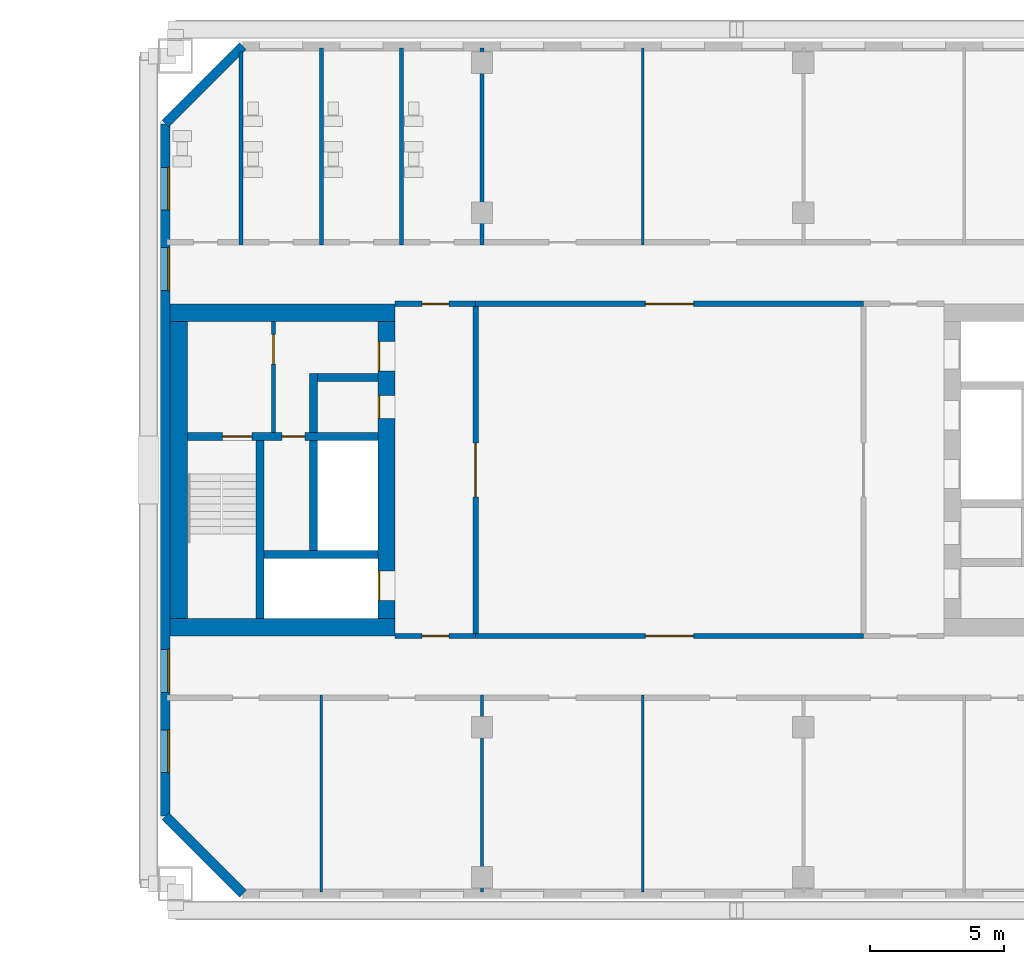
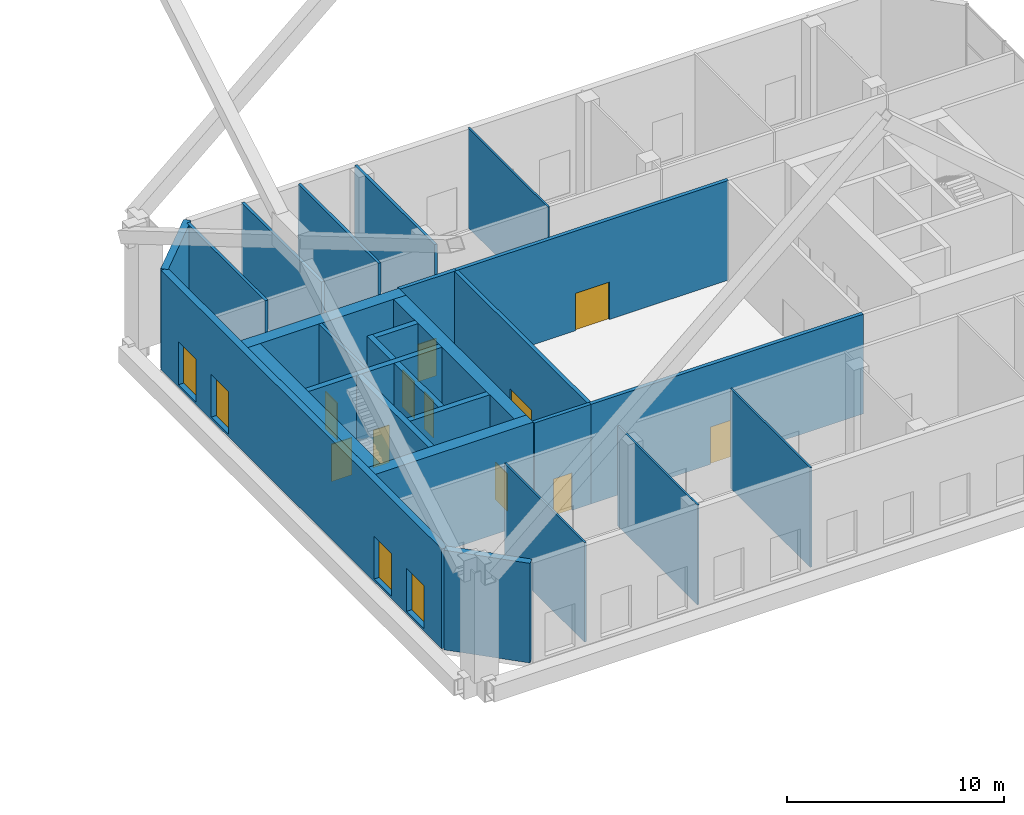
# One storey, part 13 of 20: 27 walls, 11 doors, 4 windows, 15 openings.
"""IFC4 building model written with IfcOpenShell, lengths in metres."""

import ifcopenshell
import ifcopenshell.guid

model = None  # the IFC model being written
_history = None  # IfcOwnerHistory: only IFC2X3 demands one
_inside = {}  # id of a spatial element -> (the spatial element, [elements in it])
_under = {}  # id of a project, library or spatial element -> (it, [spatial elements below it])
_declared = {}  # id of a project -> (the project, [libraries it declares])
_typed = {}  # id of a type object -> (the type object, [elements of that type])
_made_of = {}  # id of a material, layer set ... -> (it, [elements and type objects made of it])


def new_model(schema):
    """Start an empty IFC model of exactly this schema.

    Asked for "IFC4X3", IfcOpenShell would pick the latest addendum, in which some entities
    have other attributes; the version numbers below select the first issue.
    IFC2X3 requires an IfcOwnerHistory on every rooted entity: one is made here for all.
    """
    global model, _history
    if schema == "IFC4X3":
        model = ifcopenshell.file(schema_version=(4, 3, 0, 0))
    else:
        model = ifcopenshell.file(schema=schema)
    _inside.clear()
    _under.clear()
    _declared.clear()
    _typed.clear()
    _made_of.clear()
    _history = None
    if model.schema == "IFC2X3":
        org = make("IfcOrganization", Name="unknown")
        user = make(
            "IfcPersonAndOrganization",
            ThePerson=make("IfcPerson", FamilyName="unknown"),
            TheOrganization=org,
        )
        app = make(
            "IfcApplication",
            ApplicationDeveloper=org,
            Version="unknown",
            ApplicationFullName="unknown",
            ApplicationIdentifier="unknown",
        )
        _history = make(
            "IfcOwnerHistory",
            OwningUser=user,
            OwningApplication=app,
            ChangeAction="ADDED",
            CreationDate=0,
        )
    return model


def make(cls, **values):
    """One entity of the class cls with the attributes given. An attribute that is None is left unset."""
    return model.create_entity(
        cls, **{name: value for name, value in values.items() if value is not None}
    )


def rooted(cls, **values):
    """An entity with a GlobalId (a new one), such as an element, a storey or a relation."""
    return make(cls, GlobalId=ifcopenshell.guid.new(), OwnerHistory=_history, **values)


def si_unit(unit_type, name, prefix=None):
    """IfcSIUnit, for example si_unit("LENGTHUNIT", "METRE", prefix="MILLI")."""
    return make("IfcSIUnit", UnitType=unit_type, Prefix=prefix, Name=name)


def assignment(units):
    """IfcUnitAssignment: the units of a project."""
    return None if units is None else make("IfcUnitAssignment", Units=units)


def point(xyz):
    """IfcCartesianPoint."""
    return None if xyz is None else make("IfcCartesianPoint", Coordinates=xyz)


def direction(xyz):
    """IfcDirection."""
    return None if xyz is None else make("IfcDirection", DirectionRatios=xyz)


def frame(location, z_axis=None, x_axis=None):
    """IfcAxis2Placement3D, a coordinate frame: its origin and axes. An axis left out is left unset."""
    return make(
        "IfcAxis2Placement3D",
        Location=point(location),
        Axis=direction(z_axis),
        RefDirection=direction(x_axis),
    )


def frame_2d(location, x_axis=None):
    """IfcAxis2Placement2D, a coordinate frame in the plane: its origin and x axis."""
    return make(
        "IfcAxis2Placement2D", Location=point(location), RefDirection=direction(x_axis)
    )


def origin():
    """The frame at (0, 0, 0) with its axes left unset."""
    return frame((0.0, 0.0, 0.0))


def place(relative_to, where):
    """IfcLocalPlacement: puts the frame where relative to a parent placement (None: the world)."""
    return make(
        "IfcLocalPlacement", PlacementRelTo=relative_to, RelativePlacement=where
    )


def context(
    kind, dimensions, precision=None, world=None, true_north=None, identifier=None
):
    """IfcGeometricRepresentationContext, for example the 3D "Model" context."""
    return make(
        "IfcGeometricRepresentationContext",
        ContextIdentifier=identifier,
        ContextType=kind,
        CoordinateSpaceDimension=dimensions,
        Precision=precision,
        WorldCoordinateSystem=world,
        TrueNorth=true_north,
    )


def subcontext(parent, identifier, kind, view, scale=None):
    """IfcGeometricRepresentationSubContext, for example "Body" below "Model"."""
    return make(
        "IfcGeometricRepresentationSubContext",
        ContextIdentifier=identifier,
        ContextType=kind,
        ParentContext=parent,
        TargetScale=scale,
        TargetView=view,
    )


def project(units=None, contexts=None):
    """IfcProject with its units and contexts."""
    return rooted(
        "IfcProject",
        Name="project",
        RepresentationContexts=contexts,
        UnitsInContext=assignment(units),
    )


def spatial(cls, under=None, at=None, **own):
    """A site, building, storey or space (cls), placed at a placement, below another one or the project."""
    s = rooted(cls, ObjectPlacement=at, **own)
    if under is not None:
        _under.setdefault(under.id(), (under, []))[1].append(s)
    return s


def profile(cls, at=None, kind="AREA", **sizes):
    """A parametric profile (cls). Its sizes go by their IFC names, for example OverallWidth=200.0."""
    return make(cls, ProfileType=kind, Position=at, **sizes)


def rectangle(**sizes):
    """IfcRectangleProfileDef."""
    return profile("IfcRectangleProfileDef", **sizes)


def extrude(swept, where, along, depth):
    """IfcExtrudedAreaSolid: the profile swept, set in the frame where, extruded along a direction by depth."""
    return make(
        "IfcExtrudedAreaSolid",
        SweptArea=swept,
        Position=where,
        ExtrudedDirection=direction(along),
        Depth=depth,
    )


def shape(context_of_items, identifier, shape_type, items):
    """IfcShapeRepresentation: the items that make up one representation, for example the "Body"."""
    return make(
        "IfcShapeRepresentation",
        ContextOfItems=context_of_items,
        RepresentationIdentifier=identifier,
        RepresentationType=shape_type,
        Items=items,
    )


def material(Name=None, Category=None):
    """IfcMaterial."""
    return make("IfcMaterial", Name=Name, Category=Category)


def layer(
    of_material, thickness, ventilated=None, Name=None, Category=None, Priority=None
):
    """IfcMaterialLayer: one layer of a wall or slab, of a material (None: an air gap)."""
    return make(
        "IfcMaterialLayer",
        Material=of_material,
        LayerThickness=thickness,
        IsVentilated=ventilated,
        Name=Name,
        Category=Category,
        Priority=Priority,
    )


def layer_set(layers, Name=None):
    """IfcMaterialLayerSet."""
    return make("IfcMaterialLayerSet", MaterialLayers=layers, LayerSetName=Name)


def made_of(thing, what):
    """Note that an element or type object is made of a material, layer set ...; save() writes the relation."""
    if what is not None:
        _made_of.setdefault(what.id(), (what, []))[1].append(thing)
    return thing


def type_object(cls, material=None, **own):
    """A type object (cls), such as IfcWallType, which elements share."""
    return made_of(rooted(cls, **own), material)


def element(
    cls,
    number,
    at=None,
    inside=None,
    cuts=None,
    type_object=None,
    material=None,
    context=None,
    identifier="Body",
    shape_type=None,
    held_by="IfcProductDefinitionShape",
    body=None,
    shapes=None,
    **own,
):
    """One element of the class cls, such as IfcWall. Its Tag is "e" and its number.

    at: its placement. inside: the storey or other place that contains it. cuts: it is an
    opening in that element (IfcRelVoidsElement). A single representation is given by context,
    identifier, shape_type and body (its items); several are given by shapes. held_by: the class
    of the entity that holds the representations. save() writes the other relations.
    """
    e = rooted(cls, Tag="e%d" % number, ObjectPlacement=at, **own)
    if body is not None:
        shapes = [shape(context, identifier, shape_type, body)]
    if shapes is not None:
        e.Representation = make(held_by, Representations=shapes)
    if inside is not None:
        _inside.setdefault(inside.id(), (inside, []))[1].append(e)
    if cuts is not None:
        rooted(
            "IfcRelVoidsElement", RelatingBuildingElement=cuts, RelatedOpeningElement=e
        )
    if type_object is not None:
        _typed.setdefault(type_object.id(), (type_object, []))[1].append(e)
    return made_of(e, material)


def fill(opening, filler):
    """IfcRelFillsElement: the door or window that sits in an opening."""
    return rooted(
        "IfcRelFillsElement",
        RelatingOpeningElement=opening,
        RelatedBuildingElement=filler,
    )


def aggregate(whole, parts):
    """IfcRelAggregates: a whole, such as a stair, and the parts it consists of."""
    return rooted("IfcRelAggregates", RelatingObject=whole, RelatedObjects=parts)


def save(model, path):
    """Write the relations noted so far, then the file.

    IfcRelAggregates (storeys below a building ...), IfcRelContainedInSpatialStructure (elements
    in a storey), IfcRelDefinesByType, IfcRelAssociatesMaterial and IfcRelDeclares: one each for
    every whole, place, type object, material and project.
    """
    for whole, parts in _under.values():
        aggregate(whole, parts)
    for where, things in _inside.values():
        rooted(
            "IfcRelContainedInSpatialStructure",
            RelatedElements=things,
            RelatingStructure=where,
        )
    for kind, things in _typed.values():
        rooted("IfcRelDefinesByType", RelatedObjects=things, RelatingType=kind)
    for what, things in _made_of.values():
        rooted("IfcRelAssociatesMaterial", RelatedObjects=things, RelatingMaterial=what)
    for by, libraries in _declared.values():
        rooted("IfcRelDeclares", RelatingContext=by, RelatedDefinitions=libraries)
    model.write(path)


model = new_model("IFC4")

# Units and contexts
model_context = context("Model", 3, precision=1e-05, world=origin(), true_north=direction((0.0, 1.0)))
body_context = subcontext(model_context, "Body", "Model", "MODEL_VIEW")
ifc_project = project(units=[si_unit("LENGTHUNIT", "METRE"), si_unit("AREAUNIT", "SQUARE_METRE"), si_unit("VOLUMEUNIT", "CUBIC_METRE"), si_unit("PLANEANGLEUNIT", "RADIAN"), si_unit("MASSUNIT", "GRAM", prefix="KILO")], contexts=[model_context])

# Site, building, storey
site_placement = place(None, origin())
site = spatial("IfcSite", under=ifc_project, at=site_placement, CompositionType="ELEMENT")
building_placement = place(site_placement, origin())
building = spatial("IfcBuilding", under=site, at=building_placement, Name="Tuart Gate Housing", CompositionType="ELEMENT")
storey_placement = place(building_placement, frame((0.0, 0.0, 90.199951171875)))
storey = spatial("IfcBuildingStorey", under=building, at=storey_placement, Name="L25", CompositionType="ELEMENT", Elevation=90.199951171875)

# Walls
ifc_material_1 = material(Name="Gypsum board on steel studs", Category="steel")
ifc_layer_1 = layer(ifc_material_1, 0.14990234375)
ifc_layer_set_1 = layer_set([ifc_layer_1], Name="Bathroom wall 150")
wall_type_1 = type_object("IfcWallType", Name="Bathroom wall 150", PredefinedType="PLUMBINGWALL", material=ifc_layer_set_1)
wall_1_placement = place(storey_placement, frame((134.0, 78.39990234375, 0.0), z_axis=(0.0, 0.0, 1.0), x_axis=(0.0, 1.0, 0.0)))
element("IfcWall", 1, at=wall_1_placement, inside=storey, type_object=wall_type_1, Name="Bathroom wall 150", PredefinedType="PLUMBINGWALL", context=body_context, shape_type="SweptSolid", body=[
    extrude(rectangle(XDim=7.211181640625, YDim=0.14990234375, at=frame_2d((3.60546875, 0.0))), origin(), (0.0, 0.0, 1.0), 5.60009765625),
])
for number, where, z_axis, x_axis, name in (
    (2, (137.0, 78.39990234375, 0.0), (0.0, 0.0, 1.0), (0.0, 1.0, 0.0), "Bathroom wall 150"),
    (3, (140.0, 78.39990234375, 0.0), (0.0, 0.0, 1.0), (0.0, 1.0, 0.0), "Bathroom wall 150"),
    (4, (143.0, 78.39990234375, 0.0), (0.0, 0.0, 1.0), (0.0, 1.0, 0.0), "Bathroom wall 150"),
):
    element("IfcWall", number, at=place(storey_placement, frame(where, z_axis=z_axis, x_axis=x_axis)), inside=storey, type_object=wall_type_1, Name=name, PredefinedType="PLUMBINGWALL", context=body_context, shape_type="SweptSolid", body=[
        extrude(rectangle(XDim=7.360107421875, YDim=0.14990234375, at=frame_2d((3.68017578125, 0.0))), origin(), (0.0, 0.0, 1.0), 5.60009765625),
    ])
ifc_material_2 = material(Name="Brick", Category="masonry")
ifc_layer_2 = layer(ifc_material_2, 0.360107421875)
ifc_layer_set_2 = layer_set([ifc_layer_2], Name="Brick pier and spandrel wall 360")
wall_type_2 = type_object("IfcWallType", Name="Brick pier and spandrel wall 360", PredefinedType="STANDARD", material=ifc_layer_set_2)
for number, where, z_axis, x_axis, name in (
    (5, (131.179931640625, 57.07470703125, 0.0), (0.0, 0.0, 1.0), (0.707106781187, -0.707106781187, 0.0), "External wall B-SW L25"),
    (6, (134.07470703125, 85.820068359375, 0.0), (0.0, 0.0, 1.0), (-0.707106781187, -0.707106781187, 0.0), "External wall B-NW L25"),
):
    element("IfcWall", number, at=place(storey_placement, frame(where, z_axis=z_axis, x_axis=x_axis)), inside=storey, type_object=wall_type_2, Name=name, PredefinedType="STANDARD", context=body_context, shape_type="SweptSolid", body=[
        extrude(rectangle(XDim=4.09375, YDim=0.360107421875, at=frame_2d((2.046875, 0.0))), origin(), (0.0, 0.0, 1.0), 5.60009765625),
    ])

# Wall, openings, windows
wall_2_placement = place(storey_placement, frame((131.179931640625, 82.92529296875, 0.0), z_axis=(0.0, 0.0, 1.0), x_axis=(0.0, -1.0, 0.0)))
wall_2 = element("IfcWall", 7, at=wall_2_placement, inside=storey, type_object=wall_type_2, Name="External wall B-W L25", PredefinedType="STANDARD", context=body_context, shape_type="SweptSolid", body=[
    extrude(rectangle(XDim=25.850830078125, YDim=0.360107421875, at=frame_2d((12.92529296875, 0.0))), origin(), (0.0, 0.0, 1.0), 5.60009765625),
])
opening_1_placement = place(wall_2_placement, frame((1.62548828125, 0.0, 0.14990234375)))
opening_1 = element("IfcOpeningElement", 8, at=opening_1_placement, cuts=wall_2, Name="Opening W2", PredefinedType="OPENING", context=body_context, shape_type="SweptSolid", body=[
    extrude(rectangle(XDim=1.60009765625, YDim=2.39990234375, at=frame_2d((0.800048828125, 1.199951171875))), frame((0.0, 0.18994140625, 0.0), z_axis=(0.0, -1.0, 0.0), x_axis=(1.0, 0.0, 0.0)), (0.0, 0.0, 1.0), 0.380126953125),
])
opening_2_placement = place(wall_2_placement, frame((4.62548828125, 0.0, 0.14990234375)))
opening_2 = element("IfcOpeningElement", 9, at=opening_2_placement, cuts=wall_2, Name="Opening W2", PredefinedType="OPENING", context=body_context, shape_type="SweptSolid", body=[
    extrude(rectangle(XDim=1.60009765625, YDim=2.39990234375, at=frame_2d((0.800048828125, 1.199951171875))), frame((0.0, 0.18994140625, 0.0), z_axis=(0.0, -1.0, 0.0), x_axis=(1.0, 0.0, 0.0)), (0.0, 0.0, 1.0), 0.380126953125),
])
opening_3_placement = place(wall_2_placement, frame((19.62548828125, 0.0, 0.14990234375)))
opening_3 = element("IfcOpeningElement", 10, at=opening_3_placement, cuts=wall_2, Name="Opening W2", PredefinedType="OPENING", context=body_context, shape_type="SweptSolid", body=[
    extrude(rectangle(XDim=1.60009765625, YDim=2.39990234375, at=frame_2d((0.800048828125, 1.199951171875))), frame((0.0, 0.18994140625, 0.0), z_axis=(0.0, -1.0, 0.0), x_axis=(1.0, 0.0, 0.0)), (0.0, 0.0, 1.0), 0.380126953125),
])
opening_4_placement = place(wall_2_placement, frame((22.62548828125, 0.0, 0.14990234375)))
opening_4 = element("IfcOpeningElement", 11, at=opening_4_placement, cuts=wall_2, Name="Opening W2", PredefinedType="OPENING", context=body_context, shape_type="SweptSolid", body=[
    extrude(rectangle(XDim=1.60009765625, YDim=2.39990234375, at=frame_2d((0.800048828125, 1.199951171875))), frame((0.0, 0.18994140625, 0.0), z_axis=(0.0, -1.0, 0.0), x_axis=(1.0, 0.0, 0.0)), (0.0, 0.0, 1.0), 0.380126953125),
])
ifc_material_3 = material(Name="Aluminium frame with clear glass", Category="aluminium")
window_type = type_object("IfcWindowType", Name="Garden lounge window 1600 x 2400", PartitioningType="SINGLE_PANEL", PredefinedType="WINDOW", material=ifc_material_3)
window_1_placement = place(opening_1_placement, origin())
window_1 = element("IfcWindow", 12, at=window_1_placement, inside=storey, type_object=window_type, Name="Window W2", OverallHeight=2.39990234375, OverallWidth=1.60009765625, PartitioningType="SINGLE_PANEL", PredefinedType="WINDOW", context=body_context, shape_type="SweptSolid", body=[
    extrude(rectangle(XDim=1.60009765625, YDim=2.39990234375, at=frame_2d((0.800048828125, 1.199951171875))), frame((0.0, 0.150146484375, 0.0), z_axis=(0.0, -1.0, 0.0), x_axis=(1.0, 0.0, 0.0)), (0.0, 0.0, 1.0), 0.06005859375),
])
fill(opening_1, window_1)
window_2_placement = place(opening_2_placement, origin())
window_2 = element("IfcWindow", 13, at=window_2_placement, inside=storey, type_object=window_type, Name="Window W2", OverallHeight=2.39990234375, OverallWidth=1.60009765625, PartitioningType="SINGLE_PANEL", PredefinedType="WINDOW", context=body_context, shape_type="SweptSolid", body=[
    extrude(rectangle(XDim=1.60009765625, YDim=2.39990234375, at=frame_2d((0.800048828125, 1.199951171875))), frame((0.0, 0.150146484375, 0.0), z_axis=(0.0, -1.0, 0.0), x_axis=(1.0, 0.0, 0.0)), (0.0, 0.0, 1.0), 0.06005859375),
])
fill(opening_2, window_2)
window_3_placement = place(opening_3_placement, origin())
window_3 = element("IfcWindow", 14, at=window_3_placement, inside=storey, type_object=window_type, Name="Window W2", OverallHeight=2.39990234375, OverallWidth=1.60009765625, PartitioningType="SINGLE_PANEL", PredefinedType="WINDOW", context=body_context, shape_type="SweptSolid", body=[
    extrude(rectangle(XDim=1.60009765625, YDim=2.39990234375, at=frame_2d((0.800048828125, 1.199951171875))), frame((0.0, 0.150146484375, 0.0), z_axis=(0.0, -1.0, 0.0), x_axis=(1.0, 0.0, 0.0)), (0.0, 0.0, 1.0), 0.06005859375),
])
fill(opening_3, window_3)
window_4_placement = place(opening_4_placement, origin())
window_4 = element("IfcWindow", 15, at=window_4_placement, inside=storey, type_object=window_type, Name="Window W2", OverallHeight=2.39990234375, OverallWidth=1.60009765625, PartitioningType="SINGLE_PANEL", PredefinedType="WINDOW", context=body_context, shape_type="SweptSolid", body=[
    extrude(rectangle(XDim=1.60009765625, YDim=2.39990234375, at=frame_2d((0.800048828125, 1.199951171875))), frame((0.0, 0.150146484375, 0.0), z_axis=(0.0, -1.0, 0.0), x_axis=(1.0, 0.0, 0.0)), (0.0, 0.0, 1.0), 0.06005859375),
])
fill(opening_4, window_4)

# Wall, opening, door
ifc_material_4 = material(Name="Plasterboard partition")
ifc_layer_3 = layer(ifc_material_4, 0.14990234375)
ifc_layer_set_3 = layer_set([ifc_layer_3], Name="Core partition 150")
wall_type_3 = type_object("IfcWallType", Name="Core partition 150", PredefinedType="PARTITIONING", material=ifc_layer_set_3)
wall_3_placement = place(storey_placement, frame((135.2099609375, 71.39990234375, 0.0), z_axis=(0.0, 0.0, 1.0), x_axis=(0.0, 1.0, 0.0)))
wall_3 = element("IfcWall", 16, at=wall_3_placement, inside=storey, type_object=wall_type_3, Name="Core partition BG.6", PredefinedType="PARTITIONING", context=body_context, shape_type="SweptSolid", body=[
    extrude(rectangle(XDim=4.150146484375, YDim=0.14990234375, at=frame_2d((2.0751953125, 0.0))), origin(), (0.0, 0.0, 1.0), 5.60009765625),
])
opening_5_placement = place(wall_3_placement, frame((2.550048828125, 0.0, 0.0)))
opening_5 = element("IfcOpeningElement", 17, at=opening_5_placement, cuts=wall_3, Name="Opening D2905", PredefinedType="OPENING", context=body_context, shape_type="SweptSolid", body=[
    extrude(rectangle(XDim=1.10009765625, YDim=2.10009765625, at=frame_2d((0.550048828125, 1.050048828125))), frame((0.0, 0.0849609375, 0.0), z_axis=(0.0, -1.0, 0.0), x_axis=(1.0, 0.0, 0.0)), (0.0, 0.0, 1.0), 0.169921875),
])
ifc_material_5 = material(Name="Steel fire door", Category="steel")
door_type_1 = type_object("IfcDoorType", Name="Lobby door 1100 x 2100 RH", OperationType="SINGLE_SWING_RIGHT", PredefinedType="DOOR", material=ifc_material_5)
door_1_placement = place(opening_5_placement, origin())
door_1 = element("IfcDoor", 18, at=door_1_placement, inside=storey, type_object=door_type_1, Name="Smoke lobby door BG.KD", OperationType="SINGLE_SWING_RIGHT", OverallHeight=2.10009765625, OverallWidth=1.10009765625, PredefinedType="DOOR", context=body_context, shape_type="SweptSolid", body=[
    extrude(rectangle(XDim=1.10009765625, YDim=2.10009765625, at=frame_2d((0.550048828125, 1.050048828125))), frame((0.0, 0.02490234375, 0.0), z_axis=(0.0, -1.0, 0.0), x_axis=(1.0, 0.0, 0.0)), (0.0, 0.0, 1.0), 0.050048828125),
])
fill(opening_5, door_1)

# Wall
ifc_material_6 = material(Name="Concrete C50", Category="concrete")
ifc_layer_4 = layer(ifc_material_6, 0.300048828125)
ifc_layer_set_4 = layer_set([ifc_layer_4], Name="Core wall 300 C50")
wall_type_4 = type_object("IfcWallType", Name="Core wall 300 C50", PredefinedType="SHEAR", material=ifc_layer_set_4)
wall_4_placement = place(storey_placement, frame((139.110107421875, 66.85009765625, 0.0), z_axis=(0.0, 0.0, 1.0), x_axis=(-1.0, 0.0, 0.0)))
element("IfcWall", 19, at=wall_4_placement, inside=storey, type_object=wall_type_4, Name="Core wall BG.1", PredefinedType="SHEAR", context=body_context, shape_type="SweptSolid", body=[
    extrude(rectangle(XDim=4.25, YDim=0.300048828125, at=frame_2d((2.125, 0.0))), origin(), (0.0, 0.0, 1.0), 5.60009765625),
])

# Wall, openings, doors
wall_5_placement = place(storey_placement, frame((139.110107421875, 71.25, 0.0), z_axis=(0.0, 0.0, 1.0), x_axis=(-1.0, 0.0, 0.0)))
wall_5 = element("IfcWall", 20, at=wall_5_placement, inside=storey, type_object=wall_type_4, Name="Core wall BG.2", PredefinedType="SHEAR", context=body_context, shape_type="SweptSolid", body=[
    extrude(rectangle(XDim=7.10009765625, YDim=0.300048828125, at=frame_2d((3.550048828125, 0.0))), origin(), (0.0, 0.0, 1.0), 5.60009765625),
])
opening_6_placement = place(wall_5_placement, frame((4.699951171875, 0.0, 0.0)))
opening_6 = element("IfcOpeningElement", 21, at=opening_6_placement, cuts=wall_5, Name="Opening D2907", PredefinedType="OPENING", context=body_context, shape_type="SweptSolid", body=[
    extrude(rectangle(XDim=1.10009765625, YDim=2.10009765625, at=frame_2d((0.550048828125, 1.050048828125))), frame((0.0, 0.159912109375, 0.0), z_axis=(0.0, -1.0, 0.0), x_axis=(1.0, 0.0, 0.0)), (0.0, 0.0, 1.0), 0.320068359375),
])
opening_7_placement = place(wall_5_placement, frame((2.72509765625, 0.0, 0.0)))
opening_7 = element("IfcOpeningElement", 22, at=opening_7_placement, cuts=wall_5, Name="Opening D2906", PredefinedType="OPENING", context=body_context, shape_type="SweptSolid", body=[
    extrude(rectangle(XDim=0.85009765625, YDim=2.10009765625, at=frame_2d((0.425048828125, 1.050048828125))), frame((0.0, 0.159912109375, 0.0), z_axis=(0.0, -1.0, 0.0), x_axis=(1.0, 0.0, 0.0)), (0.0, 0.0, 1.0), 0.320068359375),
])
ifc_material_7 = material(Name="Steel fire door", Category="steel")
door_type_2 = type_object("IfcDoorType", Name="Riser door 850 x 2100", OperationType="SINGLE_SWING_LEFT", PredefinedType="DOOR", material=ifc_material_7)
door_2_placement = place(opening_7_placement, origin())
door_2 = element("IfcDoor", 23, at=door_2_placement, inside=storey, type_object=door_type_2, Name="Service room door BG.W1", OperationType="SINGLE_SWING_LEFT", OverallHeight=2.10009765625, OverallWidth=0.85009765625, PredefinedType="DOOR", context=body_context, shape_type="SweptSolid", body=[
    extrude(rectangle(XDim=0.85009765625, YDim=2.10009765625, at=frame_2d((0.425048828125, 1.050048828125))), frame((0.0, 0.02490234375, 0.0), z_axis=(0.0, -1.0, 0.0), x_axis=(1.0, 0.0, 0.0)), (0.0, 0.0, 1.0), 0.050048828125),
])
fill(opening_7, door_2)
ifc_material_8 = material(Name="Steel fire door", Category="steel")
door_type_3 = type_object("IfcDoorType", Name="Stair door 1100 x 2100", OperationType="SINGLE_SWING_LEFT", PredefinedType="DOOR", material=ifc_material_8)
door_3_placement = place(opening_6_placement, origin())
door_3 = element("IfcDoor", 24, at=door_3_placement, inside=storey, type_object=door_type_3, Name="Stair door BG.SD", OperationType="SINGLE_SWING_LEFT", OverallHeight=2.10009765625, OverallWidth=1.10009765625, PredefinedType="DOOR", context=body_context, shape_type="SweptSolid", body=[
    extrude(rectangle(XDim=1.10009765625, YDim=2.10009765625, at=frame_2d((0.550048828125, 1.050048828125))), frame((0.0, 0.02490234375, 0.0), z_axis=(0.0, -1.0, 0.0), x_axis=(1.0, 0.0, 0.0)), (0.0, 0.0, 1.0), 0.050048828125),
])
fill(opening_6, door_3)

# Walls
wall_6_placement = place(storey_placement, frame((139.110107421875, 73.449951171875, 0.0), z_axis=(0.0, 0.0, 1.0), x_axis=(-1.0, 0.0, 0.0)))
element("IfcWall", 25, at=wall_6_placement, inside=storey, type_object=wall_type_4, Name="Core wall BG.3", PredefinedType="SHEAR", context=body_context, shape_type="SweptSolid", body=[
    extrude(rectangle(XDim=2.25, YDim=0.300048828125, at=frame_2d((1.125, 0.0))), origin(), (0.0, 0.0, 1.0), 5.60009765625),
])
wall_7_placement = place(storey_placement, frame((136.7099609375, 67.0, 0.0), z_axis=(0.0, 0.0, 1.0), x_axis=(0.0, 1.0, 0.0)))
element("IfcWall", 26, at=wall_7_placement, inside=storey, type_object=wall_type_4, Name="Core wall BG.4", PredefinedType="SHEAR", context=body_context, shape_type="SweptSolid", body=[
    extrude(rectangle(XDim=4.10009765625, YDim=0.300048828125, at=frame_2d((2.050048828125, 0.0))), origin(), (0.0, 0.0, 1.0), 5.60009765625),
])
wall_8_placement = place(storey_placement, frame((136.7099609375, 71.39990234375, 0.0), z_axis=(0.0, 0.0, 1.0), x_axis=(0.0, 1.0, 0.0)))
element("IfcWall", 27, at=wall_8_placement, inside=storey, type_object=wall_type_4, Name="Core wall BG.5", PredefinedType="SHEAR", context=body_context, shape_type="SweptSolid", body=[
    extrude(rectangle(XDim=2.2001953125, YDim=0.300048828125, at=frame_2d((1.10009765625, 0.0))), origin(), (0.0, 0.0, 1.0), 5.60009765625),
])
wall_9_placement = place(storey_placement, frame((134.7099609375, 64.449951171875, 0.0), z_axis=(0.0, 0.0, 1.0), x_axis=(0.0, 1.0, 0.0)))
element("IfcWall", 28, at=wall_9_placement, inside=storey, type_object=wall_type_4, Name="Core wall BG.7", PredefinedType="SHEAR", context=body_context, shape_type="SweptSolid", body=[
    extrude(rectangle(XDim=6.650146484375, YDim=0.300048828125, at=frame_2d((3.3251953125, 0.0))), origin(), (0.0, 0.0, 1.0), 5.60009765625),
])

# Wall, openings, doors
ifc_material_9 = material(Name="Concrete C50", Category="concrete")
ifc_layer_5 = layer(ifc_material_9, 0.64990234375)
ifc_layer_set_5 = layer_set([ifc_layer_5], Name="Core wall 650 C50")
wall_type_5 = type_object("IfcWallType", Name="Core wall 650 C50", PredefinedType="SHEAR", material=ifc_layer_set_5)
wall_10_placement = place(storey_placement, frame((139.43505859375, 64.449951171875, 0.0), z_axis=(0.0, 0.0, 1.0), x_axis=(0.0, 1.0, 0.0)))
wall_10 = element("IfcWall", 29, at=wall_10_placement, inside=storey, type_object=wall_type_5, Name="Core wall BG front", PredefinedType="SHEAR", context=body_context, shape_type="SweptSolid", body=[
    extrude(rectangle(XDim=11.10009765625, YDim=0.64990234375, at=frame_2d((5.550048828125, 0.0))), origin(), (0.0, 0.0, 1.0), 5.60009765625),
])
opening_8_placement = place(wall_10_placement, frame((0.675048828125, 0.0, 0.0)))
opening_8 = element("IfcOpeningElement", 30, at=opening_8_placement, cuts=wall_10, Name="Opening LD-FB1", PredefinedType="OPENING", context=body_context, shape_type="SweptSolid", body=[
    extrude(rectangle(XDim=1.10009765625, YDim=2.10009765625, at=frame_2d((0.550048828125, 1.050048828125))), frame((0.0, 0.3349609375, 0.0), z_axis=(0.0, -1.0, 0.0), x_axis=(1.0, 0.0, 0.0)), (0.0, 0.0, 1.0), 0.669921875),
])
opening_9_placement = place(wall_10_placement, frame((9.25, 0.0, 0.0)))
opening_9 = element("IfcOpeningElement", 31, at=opening_9_placement, cuts=wall_10, Name="Opening D2909", PredefinedType="OPENING", context=body_context, shape_type="SweptSolid", body=[
    extrude(rectangle(XDim=1.10009765625, YDim=2.10009765625, at=frame_2d((0.550048828125, 1.050048828125))), frame((0.0, 0.3349609375, 0.0), z_axis=(0.0, -1.0, 0.0), x_axis=(1.0, 0.0, 0.0)), (0.0, 0.0, 1.0), 0.669921875),
])
opening_10_placement = place(wall_10_placement, frame((7.47509765625, 0.0, 0.0)))
opening_10 = element("IfcOpeningElement", 32, at=opening_10_placement, cuts=wall_10, Name="Opening D2910", PredefinedType="OPENING", context=body_context, shape_type="SweptSolid", body=[
    extrude(rectangle(XDim=0.85009765625, YDim=2.10009765625, at=frame_2d((0.425048828125, 1.050048828125))), frame((0.0, 0.3349609375, 0.0), z_axis=(0.0, -1.0, 0.0), x_axis=(1.0, 0.0, 0.0)), (0.0, 0.0, 1.0), 0.669921875),
])
ifc_material_10 = material(Name="Stainless steel", Category="steel")
door_type_4 = type_object("IfcDoorType", Name="Landing door 1100 x 2100", OperationType="DOUBLE_DOOR_SLIDING", PredefinedType="DOOR", material=ifc_material_10)
door_4_placement = place(opening_8_placement, origin())
door_4 = element("IfcDoor", 33, at=door_4_placement, inside=storey, type_object=door_type_4, Name="Lift landing door FB1", OperationType="DOUBLE_DOOR_SLIDING", OverallHeight=2.10009765625, OverallWidth=1.10009765625, PredefinedType="DOOR", context=body_context, shape_type="SweptSolid", body=[
    extrude(rectangle(XDim=1.10009765625, YDim=2.10009765625, at=frame_2d((0.550048828125, 1.050048828125))), frame((0.0, 0.31005859375, 0.0), z_axis=(0.0, -1.0, 0.0), x_axis=(1.0, 0.0, 0.0)), (0.0, 0.0, 1.0), 0.050048828125),
])
fill(opening_8, door_4)
ifc_material_11 = material(Name="Steel fire door", Category="steel")
door_type_5 = type_object("IfcDoorType", Name="Lobby door 1100 x 2100", OperationType="SINGLE_SWING_LEFT", PredefinedType="DOOR", material=ifc_material_11)
door_5_placement = place(opening_9_placement, origin())
door_5 = element("IfcDoor", 34, at=door_5_placement, inside=storey, type_object=door_type_5, Name="Lobby entry door BG.EN", OperationType="SINGLE_SWING_LEFT", OverallHeight=2.10009765625, OverallWidth=1.10009765625, PredefinedType="DOOR", context=body_context, shape_type="SweptSolid", body=[
    extrude(rectangle(XDim=1.10009765625, YDim=2.10009765625, at=frame_2d((0.550048828125, 1.050048828125))), frame((0.0, 0.31005859375, 0.0), z_axis=(0.0, -1.0, 0.0), x_axis=(1.0, 0.0, 0.0)), (0.0, 0.0, 1.0), 0.050048828125),
])
fill(opening_9, door_5)
ifc_material_12 = material(Name="Steel fire door", Category="steel")
door_type_6 = type_object("IfcDoorType", Name="Service door 850 x 2100", OperationType="SINGLE_SWING_LEFT", PredefinedType="DOOR", material=ifc_material_12)
door_6_placement = place(opening_10_placement, origin())
door_6 = element("IfcDoor", 35, at=door_6_placement, inside=storey, type_object=door_type_6, Name="Service room door BG.T1", OperationType="SINGLE_SWING_LEFT", OverallHeight=2.10009765625, OverallWidth=0.85009765625, PredefinedType="DOOR", context=body_context, shape_type="SweptSolid", body=[
    extrude(rectangle(XDim=0.85009765625, YDim=2.10009765625, at=frame_2d((0.425048828125, 1.050048828125))), frame((0.0, 0.31005859375, 0.0), z_axis=(0.0, -1.0, 0.0), x_axis=(1.0, 0.0, 0.0)), (0.0, 0.0, 1.0), 0.050048828125),
])
fill(opening_10, door_6)

# Walls
wall_11_placement = place(storey_placement, frame((131.68505859375, 64.449951171875, 0.0), z_axis=(0.0, 0.0, 1.0), x_axis=(0.0, 1.0, 0.0)))
element("IfcWall", 36, at=wall_11_placement, inside=storey, type_object=wall_type_5, Name="Core wall BG back", PredefinedType="SHEAR", context=body_context, shape_type="SweptSolid", body=[
    extrude(rectangle(XDim=11.10009765625, YDim=0.64990234375, at=frame_2d((5.550048828125, 0.0))), origin(), (0.0, 0.0, 1.0), 5.60009765625),
])
for number, where, z_axis, x_axis, name in (
    (37, (139.760009765625, 64.125, 0.0), (0.0, 0.0, 1.0), (-1.0, 0.0, 0.0), "Core wall BG south"),
    (38, (139.760009765625, 75.875, 0.0), (0.0, 0.0, 1.0), (-1.0, 0.0, 0.0), "Core wall BG north"),
):
    element("IfcWall", number, at=place(storey_placement, frame(where, z_axis=z_axis, x_axis=x_axis)), inside=storey, type_object=wall_type_5, Name=name, PredefinedType="SHEAR", context=body_context, shape_type="SweptSolid", body=[
        extrude(rectangle(XDim=8.39990234375, YDim=0.64990234375, at=frame_2d((4.199951171875, 0.0))), origin(), (0.0, 0.0, 1.0), 5.60009765625),
    ])

# Wall, opening, door
ifc_material_13 = material(Name="Concrete masonry 15 MPa", Category="masonry")
ifc_layer_6 = layer(ifc_material_13, 0.199951171875)
ifc_layer_set_6 = layer_set([ifc_layer_6], Name="Corridor wall masonry 200")
wall_type_6 = type_object("IfcWallType", Name="Corridor wall masonry 200", PredefinedType="PARTITIONING", material=ifc_layer_set_6)
wall_12_placement = place(storey_placement, frame((142.760009765625, 63.800048828125, 0.0), z_axis=(0.0, 0.0, 1.0), x_axis=(1.0, 0.0, 0.0)))
wall_12 = element("IfcWall", 39, at=wall_12_placement, inside=storey, type_object=wall_type_6, Name="Corridor wall masonry 200", PredefinedType="PARTITIONING", context=body_context, shape_type="SweptSolid", body=[
    extrude(rectangle(XDim=14.47998046875, YDim=0.199951171875, at=frame_2d((7.239990234375, 0.0))), origin(), (0.0, 0.0, 1.0), 5.60009765625),
])
opening_11_placement = place(wall_12_placement, frame((6.340087890625, 0.0, 0.0)))
opening_11 = element("IfcOpeningElement", 40, at=opening_11_placement, cuts=wall_12, Name="Opening D2919", PredefinedType="OPENING", context=body_context, shape_type="SweptSolid", body=[
    extrude(rectangle(XDim=1.800048828125, YDim=2.10009765625, at=frame_2d((0.89990234375, 1.050048828125))), frame((0.0, 0.10986328125, 0.0), z_axis=(0.0, -1.0, 0.0), x_axis=(1.0, 0.0, 0.0)), (0.0, 0.0, 1.0), 0.219970703125),
])
ifc_material_14 = material(Name="Timber door leaf in steel frame", Category="steel")
door_type_7 = type_object("IfcDoorType", Name="Double door 1800", OperationType="DOUBLE_DOOR_SINGLE_SWING", PredefinedType="DOOR", material=ifc_material_14)
door_7_placement = place(opening_11_placement, origin())
door_7 = element("IfcDoor", 41, at=door_7_placement, inside=storey, type_object=door_type_7, Name="Double door 1800", OperationType="DOUBLE_DOOR_SINGLE_SWING", OverallHeight=2.10009765625, OverallWidth=1.800048828125, PredefinedType="DOOR", context=body_context, shape_type="SweptSolid", body=[
    extrude(rectangle(XDim=1.800048828125, YDim=2.10009765625, at=frame_2d((0.89990234375, 1.050048828125))), frame((0.0, 0.02490234375, 0.0), z_axis=(0.0, -1.0, 0.0), x_axis=(1.0, 0.0, 0.0)), (0.0, 0.0, 1.0), 0.050048828125),
])
fill(opening_11, door_7)

wall_13_placement = place(storey_placement, frame((142.760009765625, 76.199951171875, 0.0), z_axis=(0.0, 0.0, 1.0), x_axis=(1.0, 0.0, 0.0)))
wall_13 = element("IfcWall", 42, at=wall_13_placement, inside=storey, type_object=wall_type_6, Name="Corridor wall masonry 200", PredefinedType="PARTITIONING", context=body_context, shape_type="SweptSolid", body=[
    extrude(rectangle(XDim=14.47998046875, YDim=0.199951171875, at=frame_2d((7.239990234375, 0.0))), origin(), (0.0, 0.0, 1.0), 5.60009765625),
])
opening_12_placement = place(wall_13_placement, frame((6.340087890625, 0.0, 0.0)))
opening_12 = element("IfcOpeningElement", 43, at=opening_12_placement, cuts=wall_13, Name="Opening D2902", PredefinedType="OPENING", context=body_context, shape_type="SweptSolid", body=[
    extrude(rectangle(XDim=1.800048828125, YDim=2.10009765625, at=frame_2d((0.89990234375, 1.050048828125))), frame((0.0, 0.10986328125, 0.0), z_axis=(0.0, -1.0, 0.0), x_axis=(1.0, 0.0, 0.0)), (0.0, 0.0, 1.0), 0.219970703125),
])
door_8_placement = place(opening_12_placement, frame((1.800048828125, 0.0, 0.0), z_axis=(0.0, 0.0, 1.0), x_axis=(-1.0, 0.0, 0.0)))
door_8 = element("IfcDoor", 44, at=door_8_placement, inside=storey, type_object=door_type_7, Name="Double door 1800", OperationType="DOUBLE_DOOR_SINGLE_SWING", OverallHeight=2.10009765625, OverallWidth=1.800048828125, PredefinedType="DOOR", context=body_context, shape_type="SweptSolid", body=[
    extrude(rectangle(XDim=1.800048828125, YDim=2.10009765625, at=frame_2d((0.900146484375, 1.050048828125))), frame((0.0, 0.025146484375, 0.0), z_axis=(0.0, -1.0, 0.0), x_axis=(1.0, 0.0, 0.0)), (0.0, 0.0, 1.0), 0.050048828125),
])
fill(opening_12, door_8)

ifc_material_15 = material(Name="Concrete masonry 15 MPa", Category="masonry")
ifc_layer_7 = layer(ifc_material_15, 0.199951171875)
ifc_layer_set_7 = layer_set([ifc_layer_7], Name="Enclosure wall masonry 200")
wall_type_7 = type_object("IfcWallType", Name="Enclosure wall masonry 200", PredefinedType="PARTITIONING", material=ifc_layer_set_7)
wall_14_placement = place(storey_placement, frame((139.760009765625, 63.800048828125, 0.0), z_axis=(0.0, 0.0, 1.0), x_axis=(1.0, 0.0, 0.0)))
wall_14 = element("IfcWall", 45, at=wall_14_placement, inside=storey, type_object=wall_type_7, Name="Enclosure wall masonry 200", PredefinedType="PARTITIONING", context=body_context, shape_type="SweptSolid", body=[
    extrude(rectangle(XDim=3.0, YDim=0.199951171875, at=frame_2d((1.5, 0.0))), origin(), (0.0, 0.0, 1.0), 5.60009765625),
])
opening_13_placement = place(wall_14_placement, frame((1.0, 0.0, 0.0)))
opening_13 = element("IfcOpeningElement", 46, at=opening_13_placement, cuts=wall_14, Name="Opening D2918", PredefinedType="OPENING", context=body_context, shape_type="SweptSolid", body=[
    extrude(rectangle(XDim=1.0, YDim=2.10009765625, at=frame_2d((0.5, 1.050048828125))), frame((0.0, 0.10986328125, 0.0), z_axis=(0.0, -1.0, 0.0), x_axis=(1.0, 0.0, 0.0)), (0.0, 0.0, 1.0), 0.219970703125),
])
ifc_material_16 = material(Name="Timber door leaf in steel frame", Category="steel")
door_type_8 = type_object("IfcDoorType", Name="Lobby door 1000 RH", OperationType="SINGLE_SWING_RIGHT", PredefinedType="DOOR", material=ifc_material_16)
door_9_placement = place(opening_13_placement, origin())
door_9 = element("IfcDoor", 47, at=door_9_placement, inside=storey, type_object=door_type_8, Name="Lobby door 1000", OperationType="SINGLE_SWING_RIGHT", OverallHeight=2.10009765625, OverallWidth=1.0, PredefinedType="DOOR", context=body_context, shape_type="SweptSolid", body=[
    extrude(rectangle(XDim=1.0, YDim=2.10009765625, at=frame_2d((0.5, 1.050048828125))), frame((0.0, 0.02490234375, 0.0), z_axis=(0.0, -1.0, 0.0), x_axis=(1.0, 0.0, 0.0)), (0.0, 0.0, 1.0), 0.050048828125),
])
fill(opening_13, door_9)

wall_15_placement = place(storey_placement, frame((139.760009765625, 76.199951171875, 0.0), z_axis=(0.0, 0.0, 1.0), x_axis=(1.0, 0.0, 0.0)))
wall_15 = element("IfcWall", 48, at=wall_15_placement, inside=storey, type_object=wall_type_7, Name="Enclosure wall masonry 200", PredefinedType="PARTITIONING", context=body_context, shape_type="SweptSolid", body=[
    extrude(rectangle(XDim=3.0, YDim=0.199951171875, at=frame_2d((1.5, 0.0))), origin(), (0.0, 0.0, 1.0), 5.60009765625),
])
opening_14_placement = place(wall_15_placement, frame((1.0, 0.0, 0.0)))
opening_14 = element("IfcOpeningElement", 49, at=opening_14_placement, cuts=wall_15, Name="Opening D2901", PredefinedType="OPENING", context=body_context, shape_type="SweptSolid", body=[
    extrude(rectangle(XDim=1.0, YDim=2.10009765625, at=frame_2d((0.5, 1.050048828125))), frame((0.0, 0.10986328125, 0.0), z_axis=(0.0, -1.0, 0.0), x_axis=(1.0, 0.0, 0.0)), (0.0, 0.0, 1.0), 0.219970703125),
])
ifc_material_17 = material(Name="Timber door leaf in steel frame", Category="steel")
door_type_9 = type_object("IfcDoorType", Name="Lobby door 1000", OperationType="SINGLE_SWING_LEFT", PredefinedType="DOOR", material=ifc_material_17)
door_10_placement = place(opening_14_placement, frame((1.0, 0.0, 0.0), z_axis=(0.0, 0.0, 1.0), x_axis=(-1.0, 0.0, 0.0)))
door_10 = element("IfcDoor", 50, at=door_10_placement, inside=storey, type_object=door_type_9, Name="Lobby door 1000", OperationType="SINGLE_SWING_LEFT", OverallHeight=2.10009765625, OverallWidth=1.0, PredefinedType="DOOR", context=body_context, shape_type="SweptSolid", body=[
    extrude(rectangle(XDim=1.0, YDim=2.10009765625, at=frame_2d((0.5, 1.050048828125))), frame((0.0, 0.025146484375, 0.0), z_axis=(0.0, -1.0, 0.0), x_axis=(1.0, 0.0, 0.0)), (0.0, 0.0, 1.0), 0.050048828125),
])
fill(opening_14, door_10)

ifc_material_18 = material(Name="Plasterboard partition")
ifc_layer_8 = layer(ifc_material_18, 0.199951171875)
ifc_layer_set_8 = layer_set([ifc_layer_8], Name="Lobby wall 200")
wall_type_8 = type_object("IfcWallType", Name="Lobby wall 200", PredefinedType="PARTITIONING", material=ifc_layer_set_8)
wall_16_placement = place(storey_placement, frame((142.760009765625, 63.89990234375, 0.0), z_axis=(0.0, 0.0, 1.0), x_axis=(0.0, 1.0, 0.0)))
wall_16 = element("IfcWall", 51, at=wall_16_placement, inside=storey, type_object=wall_type_8, Name="Lift lobby wall BG", PredefinedType="PARTITIONING", context=body_context, shape_type="SweptSolid", body=[
    extrude(rectangle(XDim=12.2001953125, YDim=0.199951171875, at=frame_2d((6.10009765625, 0.0))), origin(), (0.0, 0.0, 1.0), 5.60009765625),
])
opening_15_placement = place(wall_16_placement, frame((5.10009765625, 0.0, 0.0)))
opening_15 = element("IfcOpeningElement", 52, at=opening_15_placement, cuts=wall_16, Name="Opening D2911", PredefinedType="OPENING", context=body_context, shape_type="SweptSolid", body=[
    extrude(rectangle(XDim=2.0, YDim=2.10009765625, at=frame_2d((1.0, 1.050048828125))), frame((0.0, 0.10986328125, 0.0), z_axis=(0.0, -1.0, 0.0), x_axis=(1.0, 0.0, 0.0)), (0.0, 0.0, 1.0), 0.219970703125),
])
ifc_material_19 = material(Name="Steel fire door", Category="steel")
door_type_10 = type_object("IfcDoorType", Name="Smoke door 2000 x 2100", OperationType="DOUBLE_DOOR_SINGLE_SWING", PredefinedType="DOOR", material=ifc_material_19)
door_11_placement = place(opening_15_placement, frame((2.0, 0.0, 0.0), z_axis=(0.0, 0.0, 1.0), x_axis=(-1.0, 0.0, 0.0)))
door_11 = element("IfcDoor", 53, at=door_11_placement, inside=storey, type_object=door_type_10, Name="Lift lobby smoke door BG", OperationType="DOUBLE_DOOR_SINGLE_SWING", OverallHeight=2.10009765625, OverallWidth=2.0, PredefinedType="DOOR", context=body_context, shape_type="SweptSolid", body=[
    extrude(rectangle(XDim=2.0, YDim=2.10009765625, at=frame_2d((1.0, 1.050048828125))), frame((0.0, 0.025146484375, 0.0), z_axis=(0.0, -1.0, 0.0), x_axis=(1.0, 0.0, 0.0)), (0.0, 0.0, 1.0), 0.050048828125),
])
fill(opening_15, door_11)

# Walls
ifc_material_20 = material(Name="Gypsum board on steel studs", Category="steel")
ifc_layer_9 = layer(ifc_material_20, 0.10009765625)
ifc_layer_set_9 = layer_set([ifc_layer_9], Name="Partition 100")
wall_type_9 = type_object("IfcWallType", Name="Partition 100", PredefinedType="PARTITIONING", material=ifc_layer_set_9)
for number, where, z_axis, x_axis, name in (
    (54, (137.0, 54.239990234375, 0.0), (0.0, 0.0, 1.0), (0.0, 1.0, 0.0), "Partition 100"),
    (55, (143.0, 54.239990234375, 0.0), (0.0, 0.0, 1.0), (0.0, 1.0, 0.0), "Partition 100"),
    (56, (149.0, 54.239990234375, 0.0), (0.0, 0.0, 1.0), (0.0, 1.0, 0.0), "Partition 100"),
    (57, (149.0, 78.39990234375, 0.0), (0.0, 0.0, 1.0), (0.0, 1.0, 0.0), "Partition 100"),
):
    element("IfcWall", number, at=place(storey_placement, frame(where, z_axis=z_axis, x_axis=x_axis)), inside=storey, type_object=wall_type_9, Name=name, PredefinedType="PARTITIONING", context=body_context, shape_type="SweptSolid", body=[
        extrude(rectangle(XDim=7.360107421875, YDim=0.10009765625, at=frame_2d((3.68017578125, 0.0))), origin(), (0.0, 0.0, 1.0), 5.60009765625),
    ])

save(model, "model.ifc")
